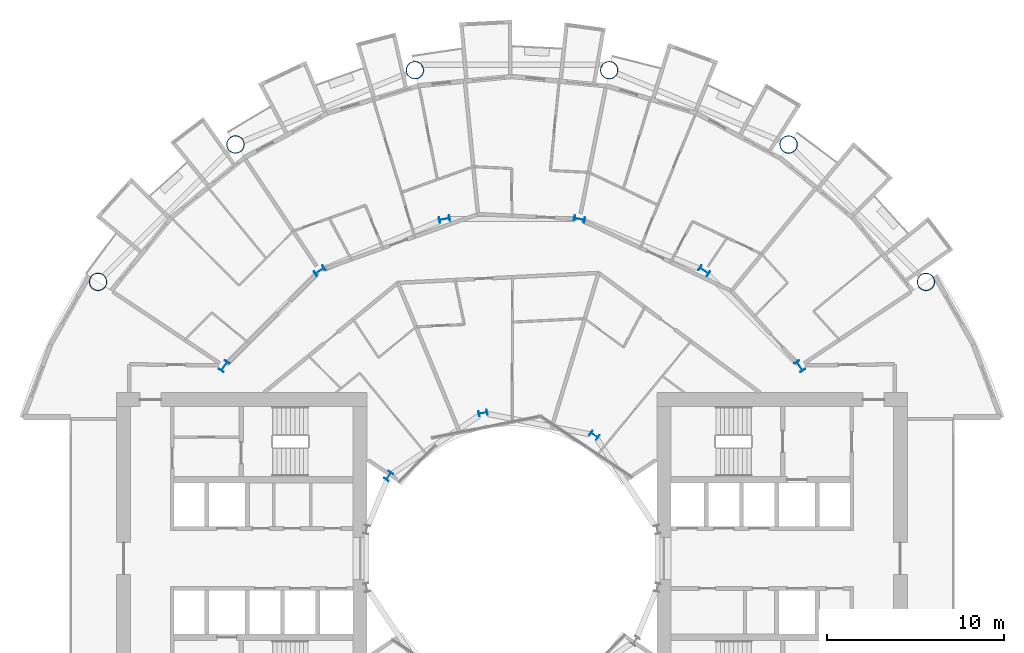
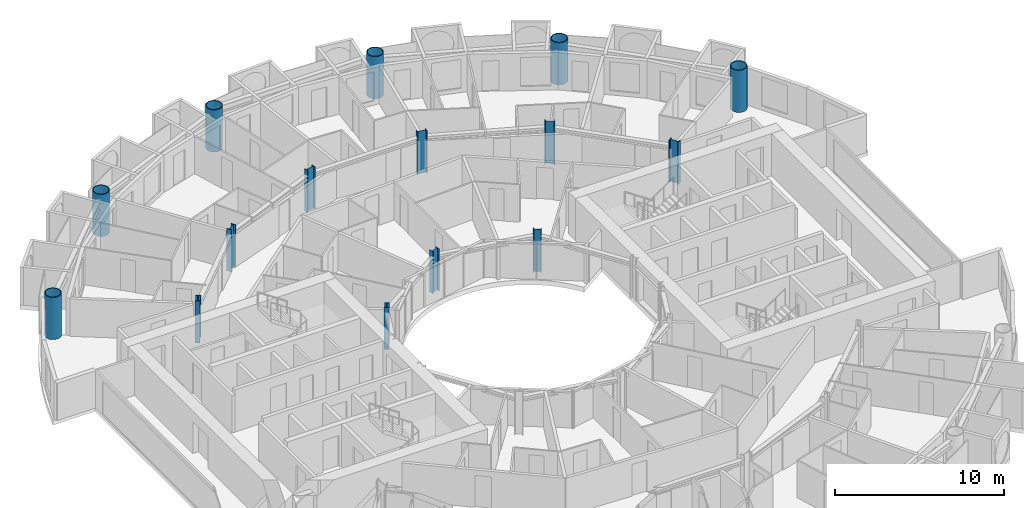
# One storey, part 3 of 26: 15 columns.
"""IFC4 building model written with IfcOpenShell, lengths in metres."""

import ifcopenshell
import ifcopenshell.guid

model = None  # the IFC model being written
_history = None  # IfcOwnerHistory: only IFC2X3 demands one
_inside = {}  # id of a spatial element -> (the spatial element, [elements in it])
_under = {}  # id of a project, library or spatial element -> (it, [spatial elements below it])
_declared = {}  # id of a project -> (the project, [libraries it declares])
_typed = {}  # id of a type object -> (the type object, [elements of that type])
_made_of = {}  # id of a material, layer set ... -> (it, [elements and type objects made of it])


def new_model(schema):
    """Start an empty IFC model of exactly this schema.

    Asked for "IFC4X3", IfcOpenShell would pick the latest addendum, in which some entities
    have other attributes; the version numbers below select the first issue.
    IFC2X3 requires an IfcOwnerHistory on every rooted entity: one is made here for all.
    """
    global model, _history
    if schema == "IFC4X3":
        model = ifcopenshell.file(schema_version=(4, 3, 0, 0))
    else:
        model = ifcopenshell.file(schema=schema)
    _inside.clear()
    _under.clear()
    _declared.clear()
    _typed.clear()
    _made_of.clear()
    _history = None
    if model.schema == "IFC2X3":
        org = make("IfcOrganization", Name="unknown")
        user = make(
            "IfcPersonAndOrganization",
            ThePerson=make("IfcPerson", FamilyName="unknown"),
            TheOrganization=org,
        )
        app = make(
            "IfcApplication",
            ApplicationDeveloper=org,
            Version="unknown",
            ApplicationFullName="unknown",
            ApplicationIdentifier="unknown",
        )
        _history = make(
            "IfcOwnerHistory",
            OwningUser=user,
            OwningApplication=app,
            ChangeAction="ADDED",
            CreationDate=0,
        )
    return model


def make(cls, **values):
    """One entity of the class cls with the attributes given. An attribute that is None is left unset."""
    return model.create_entity(
        cls, **{name: value for name, value in values.items() if value is not None}
    )


def rooted(cls, **values):
    """An entity with a GlobalId (a new one), such as an element, a storey or a relation."""
    return make(cls, GlobalId=ifcopenshell.guid.new(), OwnerHistory=_history, **values)


def si_unit(unit_type, name, prefix=None):
    """IfcSIUnit, for example si_unit("LENGTHUNIT", "METRE", prefix="MILLI")."""
    return make("IfcSIUnit", UnitType=unit_type, Prefix=prefix, Name=name)


def assignment(units):
    """IfcUnitAssignment: the units of a project."""
    return None if units is None else make("IfcUnitAssignment", Units=units)


def point(xyz):
    """IfcCartesianPoint."""
    return None if xyz is None else make("IfcCartesianPoint", Coordinates=xyz)


def direction(xyz):
    """IfcDirection."""
    return None if xyz is None else make("IfcDirection", DirectionRatios=xyz)


def frame(location, z_axis=None, x_axis=None):
    """IfcAxis2Placement3D, a coordinate frame: its origin and axes. An axis left out is left unset."""
    return make(
        "IfcAxis2Placement3D",
        Location=point(location),
        Axis=direction(z_axis),
        RefDirection=direction(x_axis),
    )


def frame_2d(location, x_axis=None):
    """IfcAxis2Placement2D, a coordinate frame in the plane: its origin and x axis."""
    return make(
        "IfcAxis2Placement2D", Location=point(location), RefDirection=direction(x_axis)
    )


def origin():
    """The frame at (0, 0, 0) with its axes left unset."""
    return frame((0.0, 0.0, 0.0))


def origin_2d():
    """The frame at (0, 0) in the plane with its x axis left unset."""
    return frame_2d((0.0, 0.0))


def place(relative_to, where):
    """IfcLocalPlacement: puts the frame where relative to a parent placement (None: the world)."""
    return make(
        "IfcLocalPlacement", PlacementRelTo=relative_to, RelativePlacement=where
    )


def context(
    kind, dimensions, precision=None, world=None, true_north=None, identifier=None
):
    """IfcGeometricRepresentationContext, for example the 3D "Model" context."""
    return make(
        "IfcGeometricRepresentationContext",
        ContextIdentifier=identifier,
        ContextType=kind,
        CoordinateSpaceDimension=dimensions,
        Precision=precision,
        WorldCoordinateSystem=world,
        TrueNorth=true_north,
    )


def subcontext(parent, identifier, kind, view, scale=None):
    """IfcGeometricRepresentationSubContext, for example "Body" below "Model"."""
    return make(
        "IfcGeometricRepresentationSubContext",
        ContextIdentifier=identifier,
        ContextType=kind,
        ParentContext=parent,
        TargetScale=scale,
        TargetView=view,
    )


def project(units=None, contexts=None):
    """IfcProject with its units and contexts."""
    return rooted(
        "IfcProject",
        Name="project",
        RepresentationContexts=contexts,
        UnitsInContext=assignment(units),
    )


def spatial(cls, under=None, at=None, **own):
    """A site, building, storey or space (cls), placed at a placement, below another one or the project."""
    s = rooted(cls, ObjectPlacement=at, **own)
    if under is not None:
        _under.setdefault(under.id(), (under, []))[1].append(s)
    return s


def profile(cls, at=None, kind="AREA", **sizes):
    """A parametric profile (cls). Its sizes go by their IFC names, for example OverallWidth=200.0."""
    return make(cls, ProfileType=kind, Position=at, **sizes)


def hollow_circle(**sizes):
    """IfcCircleHollowProfileDef."""
    return profile("IfcCircleHollowProfileDef", **sizes)


def i_section(**sizes):
    """IfcIShapeProfileDef."""
    return profile("IfcIShapeProfileDef", **sizes)


def extrude(swept, where, along, depth):
    """IfcExtrudedAreaSolid: the profile swept, set in the frame where, extruded along a direction by depth."""
    return make(
        "IfcExtrudedAreaSolid",
        SweptArea=swept,
        Position=where,
        ExtrudedDirection=direction(along),
        Depth=depth,
    )


def shape(context_of_items, identifier, shape_type, items):
    """IfcShapeRepresentation: the items that make up one representation, for example the "Body"."""
    return make(
        "IfcShapeRepresentation",
        ContextOfItems=context_of_items,
        RepresentationIdentifier=identifier,
        RepresentationType=shape_type,
        Items=items,
    )


def material(Name=None, Category=None):
    """IfcMaterial."""
    return make("IfcMaterial", Name=Name, Category=Category)


def material_profile(
    of_material, cross_section, Name=None, Category=None, Priority=None
):
    """IfcMaterialProfile: a cross section and its material."""
    return make(
        "IfcMaterialProfile",
        Name=Name,
        Material=of_material,
        Profile=cross_section,
        Priority=Priority,
        Category=Category,
    )


def profile_set(profiles, Name=None, composite=None):
    """IfcMaterialProfileSet."""
    return make(
        "IfcMaterialProfileSet",
        Name=Name,
        MaterialProfiles=profiles,
        CompositeProfile=composite,
    )


def made_of(thing, what):
    """Note that an element or type object is made of a material, layer set ...; save() writes the relation."""
    if what is not None:
        _made_of.setdefault(what.id(), (what, []))[1].append(thing)
    return thing


def type_object(cls, material=None, **own):
    """A type object (cls), such as IfcWallType, which elements share."""
    return made_of(rooted(cls, **own), material)


def element(
    cls,
    number,
    at=None,
    inside=None,
    cuts=None,
    type_object=None,
    material=None,
    context=None,
    identifier="Body",
    shape_type=None,
    held_by="IfcProductDefinitionShape",
    body=None,
    shapes=None,
    **own,
):
    """One element of the class cls, such as IfcWall. Its Tag is "e" and its number.

    at: its placement. inside: the storey or other place that contains it. cuts: it is an
    opening in that element (IfcRelVoidsElement). A single representation is given by context,
    identifier, shape_type and body (its items); several are given by shapes. held_by: the class
    of the entity that holds the representations. save() writes the other relations.
    """
    e = rooted(cls, Tag="e%d" % number, ObjectPlacement=at, **own)
    if body is not None:
        shapes = [shape(context, identifier, shape_type, body)]
    if shapes is not None:
        e.Representation = make(held_by, Representations=shapes)
    if inside is not None:
        _inside.setdefault(inside.id(), (inside, []))[1].append(e)
    if cuts is not None:
        rooted(
            "IfcRelVoidsElement", RelatingBuildingElement=cuts, RelatedOpeningElement=e
        )
    if type_object is not None:
        _typed.setdefault(type_object.id(), (type_object, []))[1].append(e)
    return made_of(e, material)


def aggregate(whole, parts):
    """IfcRelAggregates: a whole, such as a stair, and the parts it consists of."""
    return rooted("IfcRelAggregates", RelatingObject=whole, RelatedObjects=parts)


def save(model, path):
    """Write the relations noted so far, then the file.

    IfcRelAggregates (storeys below a building ...), IfcRelContainedInSpatialStructure (elements
    in a storey), IfcRelDefinesByType, IfcRelAssociatesMaterial and IfcRelDeclares: one each for
    every whole, place, type object, material and project.
    """
    for whole, parts in _under.values():
        aggregate(whole, parts)
    for where, things in _inside.values():
        rooted(
            "IfcRelContainedInSpatialStructure",
            RelatedElements=things,
            RelatingStructure=where,
        )
    for kind, things in _typed.values():
        rooted("IfcRelDefinesByType", RelatedObjects=things, RelatingType=kind)
    for what, things in _made_of.values():
        rooted("IfcRelAssociatesMaterial", RelatedObjects=things, RelatingMaterial=what)
    for by, libraries in _declared.values():
        rooted("IfcRelDeclares", RelatingContext=by, RelatedDefinitions=libraries)
    model.write(path)


model = new_model("IFC4")

# Units and contexts
model_context = context("Model", 3, precision=1e-05, world=origin(), true_north=direction((0.0, 1.0)))
body_context = subcontext(model_context, "Body", "Model", "MODEL_VIEW")
ifc_project = project(units=[si_unit("LENGTHUNIT", "METRE"), si_unit("AREAUNIT", "SQUARE_METRE"), si_unit("VOLUMEUNIT", "CUBIC_METRE"), si_unit("PLANEANGLEUNIT", "RADIAN"), si_unit("MASSUNIT", "GRAM", prefix="KILO")], contexts=[model_context])

# Site, building, storey
site_placement = place(None, origin())
site = spatial("IfcSite", under=ifc_project, at=site_placement, CompositionType="ELEMENT")
building_placement = place(site_placement, origin())
building = spatial("IfcBuilding", under=site, at=building_placement, Name="Maasbend Ring Residences", CompositionType="ELEMENT")
storey_placement = place(building_placement, frame((0.0, 0.0, 44.14990234375)))
storey = spatial("IfcBuildingStorey", under=building, at=storey_placement, Name="L12", CompositionType="ELEMENT", Elevation=44.14990234375)

# Columns
ifc_material_1 = material(Name="Composite concrete-filled steel tube S460NH / C80/95", Category="concrete")
ifc_material_profile_1 = material_profile(ifc_material_1, hollow_circle(Radius=0.508056640625, WallThickness=0.050048828125, at=origin_2d()), Name="Composite tube column CHS 1016x50")
ifc_profile_set_1 = profile_set([ifc_material_profile_1], Name="Composite concrete-filled steel tube S460NH / C80/95")
column_type_1 = type_object("IfcColumnType", Name="Composite tube column CHS 1016x50", PredefinedType="COLUMN", material=ifc_profile_set_1)
for number, where, z_axis, x_axis, name in (
    (1, (23.447509765625, 15.6669921875, 0.0), (0.0, 0.0, 1.0), (1.0, 0.0, 0.0), "Outer column R2"),
    (2, (15.6669921875, 23.447509765625, 0.0), (0.0, 0.0, 1.0), (1.0, 0.0, 0.0), "Outer column R3"),
    (3, (5.50146484375, 27.658203125, 0.0), (0.0, 0.0, 1.0), (1.0, 0.0, 0.0), "Outer column R4"),
    (4, (-5.50146484375, 27.658203125, 0.0), (0.0, 0.0, 1.0), (1.0, 0.0, 0.0), "Outer column R5"),
    (5, (-15.6669921875, 23.447509765625, 0.0), (0.0, 0.0, 1.0), (1.0, 0.0, 0.0), "Outer column R6"),
    (6, (-23.447509765625, 15.6669921875, 0.0), (0.0, 0.0, 1.0), (1.0, 0.0, 0.0), "Outer column R7"),
):
    element("IfcColumn", number, at=place(storey_placement, frame(where, z_axis=z_axis, x_axis=x_axis)), inside=storey, type_object=column_type_1, Name=name, PredefinedType="COLUMN", context=body_context, shape_type="SweptSolid", body=[
        extrude(hollow_circle(Radius=0.508056640625, WallThickness=0.050048828125, at=origin_2d()), origin(), (0.0, 0.0, 1.0), 3.050048828125),
    ])
ifc_material_2 = material(Name="Steel S355J2", Category="steel")
ifc_material_profile_2 = material_profile(ifc_material_2, i_section(OverallWidth=0.300048828125, OverallDepth=0.5, WebThickness=0.014404296875, FlangeThickness=0.028076171875, FilletRadius=0.027099609375, at=origin_2d()), Name="HEB 500")
ifc_profile_set_2 = profile_set([ifc_material_profile_2], Name="Steel S355J2")
column_type_2 = type_object("IfcColumnType", Name="Steel column HEB 500", PredefinedType="COLUMN", material=ifc_profile_set_2)
for number, where, z_axis, x_axis, name in (
    (7, (4.666748046875, 6.984375, 0.0), (0.0, 0.0, 1.0), (0.55557023302, 0.831469612303, 0.0), "Well ring column R3"),
    (8, (-1.638916015625, 8.238525390625, 0.0), (0.0, 0.0, 1.0), (-0.195090322016, 0.980785280403, 0.0), "Well ring column R5"),
    (9, (-6.984375, 4.666748046875, 0.0), (0.0, 0.0, 1.0), (-0.831469612303, 0.55557023302, 0.0), "Well ring column R7"),
):
    element("IfcColumn", number, at=place(storey_placement, frame(where, z_axis=z_axis, x_axis=x_axis)), inside=storey, type_object=column_type_2, Name=name, PredefinedType="COLUMN", context=body_context, shape_type="SweptSolid", body=[
        extrude(i_section(OverallWidth=0.300048828125, OverallDepth=0.5, WebThickness=0.014404296875, FlangeThickness=0.028076171875, FilletRadius=0.027099609375, at=origin_2d()), origin(), (0.0, 0.0, 1.0), 3.050048828125),
    ])
ifc_material_3 = material(Name="Steel S460M", Category="steel")
ifc_material_profile_3 = material_profile(ifc_material_3, i_section(OverallWidth=0.304931640625, OverallDepth=0.6201171875, WebThickness=0.02099609375, FlangeThickness=0.0400390625, FilletRadius=0.027099609375, at=origin_2d()), Name="HEM 600")
ifc_profile_set_3 = profile_set([ifc_material_profile_3], Name="Steel S460M")
column_type_3 = type_object("IfcColumnType", Name="Steel column HEM 600", PredefinedType="COLUMN", material=ifc_profile_set_3)
for number, where, z_axis, x_axis, name in (
    (10, (16.296875, 10.88916015625, 0.0), (0.0, 0.0, 1.0), (0.831469612303, 0.55557023302, 0.0), "Corridor ring column R2"),
    (11, (10.88916015625, 16.296875, 0.0), (0.0, 0.0, 1.0), (0.55557023302, 0.831469612303, 0.0), "Corridor ring column R3"),
    (12, (3.82373046875, 19.223388671875, 0.0), (0.0, 0.0, 1.0), (0.195090322016, 0.980785280403, 0.0), "Corridor ring column R4"),
    (13, (-3.82373046875, 19.223388671875, 0.0), (0.0, 0.0, 1.0), (-0.195090322016, 0.980785280403, 0.0), "Corridor ring column R5"),
    (14, (-10.88916015625, 16.296875, 0.0), (0.0, 0.0, 1.0), (-0.55557023302, 0.831469612303, 0.0), "Corridor ring column R6"),
    (15, (-16.296875, 10.88916015625, 0.0), (0.0, 0.0, 1.0), (-0.831469612303, 0.55557023302, 0.0), "Corridor ring column R7"),
):
    element("IfcColumn", number, at=place(storey_placement, frame(where, z_axis=z_axis, x_axis=x_axis)), inside=storey, type_object=column_type_3, Name=name, PredefinedType="COLUMN", context=body_context, shape_type="SweptSolid", body=[
        extrude(i_section(OverallWidth=0.304931640625, OverallDepth=0.6201171875, WebThickness=0.02099609375, FlangeThickness=0.0400390625, FilletRadius=0.027099609375, at=origin_2d()), origin(), (0.0, 0.0, 1.0), 3.050048828125),
    ])

save(model, "model.ifc")
